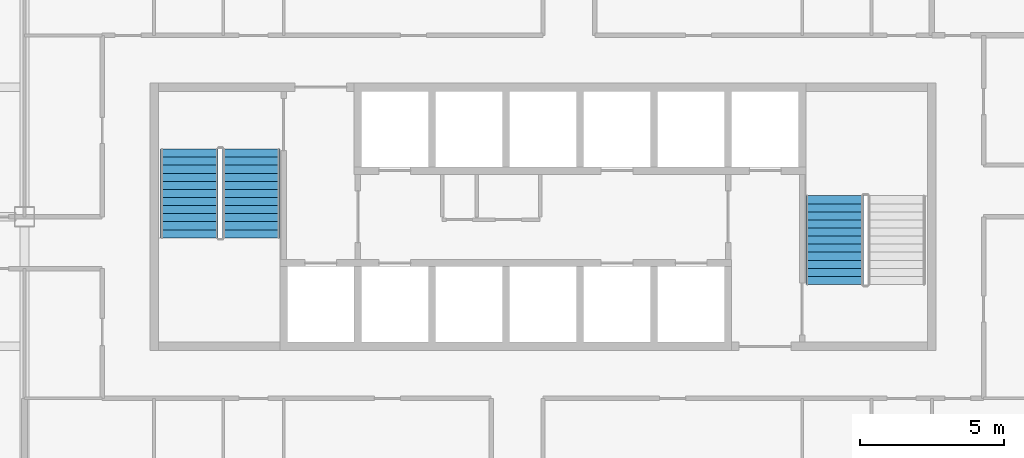
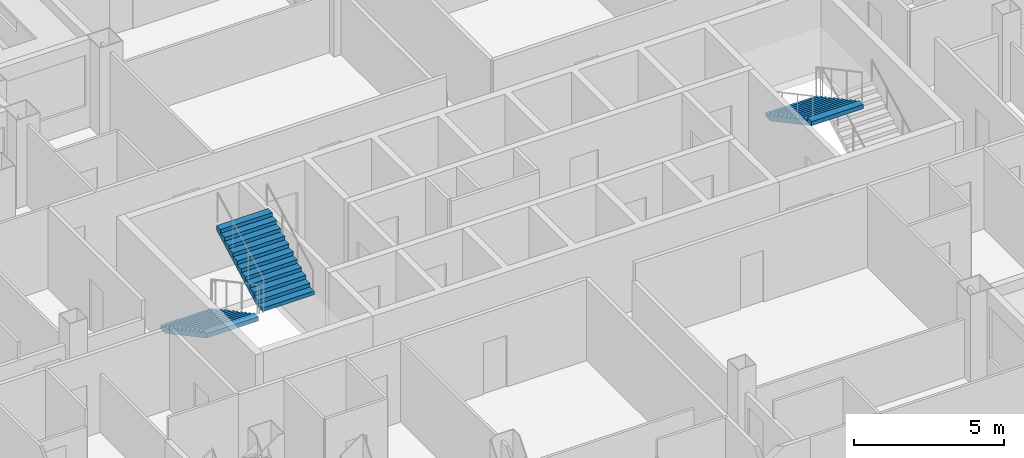
# One storey, part 11 of 15: 3 stair flights, 2 elements without a shape of their own.
"""IFC4 building model written with IfcOpenShell, lengths in metres."""

from ifc_helpers import new_model, si_unit, direction, frame, origin, place, context, subcontext, project, spatial, polygons, material, type_object, element, aggregate, save


model = new_model("IFC4")

# Units and contexts
model_context = context("Model", 3, precision=1e-05, world=origin(), true_north=direction((0.0, 1.0)))
body_context = subcontext(model_context, "Body", "Model", "MODEL_VIEW")
ifc_project = project(units=[si_unit("LENGTHUNIT", "METRE"), si_unit("AREAUNIT", "SQUARE_METRE"), si_unit("VOLUMEUNIT", "CUBIC_METRE"), si_unit("PLANEANGLEUNIT", "RADIAN"), si_unit("MASSUNIT", "GRAM", prefix="KILO")], contexts=[model_context])

# Site, building, storey
site_placement = place(None, origin())
site = spatial("IfcSite", under=ifc_project, at=site_placement, CompositionType="ELEMENT")
building_placement = place(site_placement, origin())
building = spatial("IfcBuilding", under=site, at=building_placement, Name="Caravel Reach Hotel and Residences", CompositionType="ELEMENT")
storey_placement = place(building_placement, frame((0.0, 0.0, 111.60009765625)))
storey = spatial("IfcBuildingStorey", under=building, at=storey_placement, Name="L27", CompositionType="ELEMENT", Elevation=111.60009765625)

# Stair, stair flights
ifc_material_1 = material(Name="Concrete C40", Category="concrete")
stair_type = type_object("IfcStairType", Name="Core stair", PredefinedType="HALF_TURN_STAIR", material=ifc_material_1)
stair_1_placement = place(storey_placement, origin())
stair_1 = element("IfcStair", 1, at=stair_1_placement, inside=storey, type_object=stair_type, Name="L27 Exit stair A", PredefinedType="HALF_TURN_STAIR")
ifc_material_2 = material(Name="Concrete C40", Category="concrete")
stair_flight_type = type_object("IfcStairFlightType", Name="Core stair flight", PredefinedType="STRAIGHT", material=ifc_material_2)
stair_flight_1_placement = place(storey_placement, frame((19.22509765625, 29.35009765625, 0.0), z_axis=(0.0, 0.0, 1.0), x_axis=(0.0, -1.0, 0.0)))
stair_flight_1 = element("IfcStairFlight", 2, at=stair_flight_1_placement, type_object=stair_flight_type, Name="ST-A flight 1", NumberOfRisers=12, NumberOfTreads=11, PredefinedType="STRAIGHT", RiserHeight=0.15, TreadLength=0.28, context=body_context, shape_type="Tessellation", body=[
    polygons([(0.3174408016601862, 1.0, 0.0), (0.3174408016601862, 0.6666666666666667, 0.0), (0.3174408016601862, 0.33333333333333337, 0.0), (0.3174408016601862, 0.0, 0.0), (0.3174408016601862, -0.33333333333333326, 0.0), (0.3174408016601862, -0.6666666666666667, 0.0), (0.3174408016601862, -1.0, 0.0), (3.081, 1.0, 1.479942427682043), (3.081, 0.6666666666666667, 1.479942427682043), (3.081, 0.33333333333333337, 1.479942427682043), (3.081, 0.0, 1.479942427682043), (3.081, -0.33333333333333326, 1.479942427682043), (3.081, -0.6666666666666667, 1.479942427682043), (3.081, -1.0, 1.479942427682043), (3.081, 1.0, 1.65), (3.081, 0.6666666666666667, 1.65), (3.081, 0.33333333333333337, 1.65), (3.081, 0.0, 1.65), (3.081, -0.33333333333333326, 1.65), (3.081, -0.6666666666666667, 1.65), (3.081, -1.0, 1.65), (2.8000000000000003, 1.0, 1.65), (2.8000000000000003, 0.6666666666666667, 1.65), (2.8000000000000003, 0.33333333333333337, 1.65), (2.8000000000000003, 0.0, 1.65), (2.8000000000000003, -0.33333333333333326, 1.65), (2.8000000000000003, -0.6666666666666667, 1.65), (2.8000000000000003, -1.0, 1.65), (2.8000000000000003, 1.0, 1.5), (2.8000000000000003, 0.6666666666666667, 1.5), (2.8000000000000003, 0.33333333333333337, 1.5), (2.8000000000000003, 0.0, 1.5), (2.8000000000000003, -0.33333333333333326, 1.5), (2.8000000000000003, -0.6666666666666667, 1.5), (2.8000000000000003, -1.0, 1.5), (2.5200000000000005, 1.0, 1.5), (2.5200000000000005, 0.6666666666666667, 1.5), (2.5200000000000005, 0.33333333333333337, 1.5), (2.5200000000000005, 0.0, 1.5), (2.5200000000000005, -0.33333333333333326, 1.5), (2.5200000000000005, -0.6666666666666667, 1.5), (2.5200000000000005, -1.0, 1.5), (2.5200000000000005, 1.0, 1.3499999999999999), (2.5200000000000005, 0.6666666666666667, 1.3499999999999999), (2.5200000000000005, 0.33333333333333337, 1.3499999999999999), (2.5200000000000005, 0.0, 1.3499999999999999), (2.5200000000000005, -0.33333333333333326, 1.3499999999999999), (2.5200000000000005, -0.6666666666666667, 1.3499999999999999), (2.5200000000000005, -1.0, 1.3499999999999999), (2.24, 1.0, 1.3499999999999999), (2.24, 0.6666666666666667, 1.3499999999999999), (2.24, 0.33333333333333337, 1.3499999999999999), (2.24, 0.0, 1.3499999999999999), (2.24, -0.33333333333333326, 1.3499999999999999), (2.24, -0.6666666666666667, 1.3499999999999999), (2.24, -1.0, 1.3499999999999999), (2.24, 1.0, 1.2), (2.24, 0.6666666666666667, 1.2), (2.24, 0.33333333333333337, 1.2), (2.24, 0.0, 1.2), (2.24, -0.33333333333333326, 1.2), (2.24, -0.6666666666666667, 1.2), (2.24, -1.0, 1.2), (1.9600000000000002, 1.0, 1.2), (1.9600000000000002, 0.6666666666666667, 1.2), (1.9600000000000002, 0.33333333333333337, 1.2), (1.9600000000000002, 0.0, 1.2), (1.9600000000000002, -0.33333333333333326, 1.2), (1.9600000000000002, -0.6666666666666667, 1.2), (1.9600000000000002, -1.0, 1.2), (1.9600000000000002, 1.0, 1.05), (1.9600000000000002, 0.6666666666666667, 1.05), (1.9600000000000002, 0.33333333333333337, 1.05), (1.9600000000000002, 0.0, 1.05), (1.9600000000000002, -0.33333333333333326, 1.05), (1.9600000000000002, -0.6666666666666667, 1.05), (1.9600000000000002, -1.0, 1.05), (1.6800000000000002, 1.0, 1.05), (1.6800000000000002, 0.6666666666666667, 1.05), (1.6800000000000002, 0.33333333333333337, 1.05), (1.6800000000000002, 0.0, 1.05), (1.6800000000000002, -0.33333333333333326, 1.05), (1.6800000000000002, -0.6666666666666667, 1.05), (1.6800000000000002, -1.0, 1.05), (1.6800000000000002, 1.0, 0.8999999999999999), (1.6800000000000002, 0.6666666666666667, 0.8999999999999999), (1.6800000000000002, 0.33333333333333337, 0.8999999999999999), (1.6800000000000002, 0.0, 0.8999999999999999), (1.6800000000000002, -0.33333333333333326, 0.8999999999999999), (1.6800000000000002, -0.6666666666666667, 0.8999999999999999), (1.6800000000000002, -1.0, 0.8999999999999999), (1.4000000000000001, 1.0, 0.8999999999999999), (1.4000000000000001, 0.6666666666666667, 0.8999999999999999), (1.4000000000000001, 0.33333333333333337, 0.8999999999999999), (1.4000000000000001, 0.0, 0.8999999999999999), (1.4000000000000001, -0.33333333333333326, 0.8999999999999999), (1.4000000000000001, -0.6666666666666667, 0.8999999999999999), (1.4000000000000001, -1.0, 0.8999999999999999), (1.4000000000000001, 1.0, 0.75), (1.4000000000000001, 0.6666666666666667, 0.75), (1.4000000000000001, 0.33333333333333337, 0.75), (1.4000000000000001, 0.0, 0.75), (1.4000000000000001, -0.33333333333333326, 0.75), (1.4000000000000001, -0.6666666666666667, 0.75), (1.4000000000000001, -1.0, 0.75), (1.12, 1.0, 0.75), (1.12, 0.6666666666666667, 0.75), (1.12, 0.33333333333333337, 0.75), (1.12, 0.0, 0.75), (1.12, -0.33333333333333326, 0.75), (1.12, -0.6666666666666667, 0.75), (1.12, -1.0, 0.75), (1.12, 1.0, 0.6), (1.12, 0.6666666666666667, 0.6), (1.12, 0.33333333333333337, 0.6), (1.12, 0.0, 0.6), (1.12, -0.33333333333333326, 0.6), (1.12, -0.6666666666666667, 0.6), (1.12, -1.0, 0.6), (0.8400000000000001, 1.0, 0.6), (0.8400000000000001, 0.6666666666666667, 0.6), (0.8400000000000001, 0.33333333333333337, 0.6), (0.8400000000000001, 0.0, 0.6), (0.8400000000000001, -0.33333333333333326, 0.6), (0.8400000000000001, -0.6666666666666667, 0.6), (0.8400000000000001, -1.0, 0.6), (0.8400000000000001, 1.0, 0.44999999999999996), (0.8400000000000001, 0.6666666666666667, 0.44999999999999996), (0.8400000000000001, 0.33333333333333337, 0.44999999999999996), (0.8400000000000001, 0.0, 0.44999999999999996), (0.8400000000000001, -0.33333333333333326, 0.44999999999999996), (0.8400000000000001, -0.6666666666666667, 0.44999999999999996), (0.8400000000000001, -1.0, 0.44999999999999996), (0.56, 1.0, 0.44999999999999996), (0.56, 0.6666666666666667, 0.44999999999999996), (0.56, 0.33333333333333337, 0.44999999999999996), (0.56, 0.0, 0.44999999999999996), (0.56, -0.33333333333333326, 0.44999999999999996), (0.56, -0.6666666666666667, 0.44999999999999996), (0.56, -1.0, 0.44999999999999996), (0.56, 1.0, 0.3), (0.56, 0.6666666666666667, 0.3), (0.56, 0.33333333333333337, 0.3), (0.56, 0.0, 0.3), (0.56, -0.33333333333333326, 0.3), (0.56, -0.6666666666666667, 0.3), (0.56, -1.0, 0.3), (0.28, 1.0, 0.3), (0.28, 0.6666666666666667, 0.3), (0.28, 0.33333333333333337, 0.3), (0.28, 0.0, 0.3), (0.28, -0.33333333333333326, 0.3), (0.28, -0.6666666666666667, 0.3), (0.28, -1.0, 0.3), (0.28, 1.0, 0.15), (0.28, 0.6666666666666667, 0.15), (0.28, 0.33333333333333337, 0.15), (0.28, 0.0, 0.15), (0.28, -0.33333333333333326, 0.15), (0.28, -0.6666666666666667, 0.15), (0.28, -1.0, 0.15), (-0.001, 1.0, 0.15), (-0.001, 0.6666666666666667, 0.15), (-0.001, 0.33333333333333337, 0.15), (-0.001, 0.0, 0.15), (-0.001, -0.33333333333333326, 0.15), (-0.001, -0.6666666666666667, 0.15), (-0.001, -1.0, 0.15), (-0.001, 1.0, 0.0), (-0.001, 0.6666666666666667, 0.0), (-0.001, 0.33333333333333337, 0.0), (-0.001, 0.0, 0.0), (-0.001, -0.33333333333333326, 0.0), (-0.001, -0.6666666666666667, 0.0), (-0.001, -1.0, 0.0)], [[[169, 162, 155, 148, 141, 134, 127, 120, 113, 106, 99, 92, 85, 78, 71, 64, 57, 50, 43, 36, 29, 22, 15, 8, 1]], [[7, 14, 21, 28, 35, 42, 49, 56, 63, 70, 77, 84, 91, 98, 105, 112, 119, 126, 133, 140, 147, 154, 161, 168, 175]], [[1, 8, 9, 2]], [[2, 9, 10, 3]], [[3, 10, 11, 4]], [[4, 11, 12, 5]], [[5, 12, 13, 6]], [[6, 13, 14, 7]], [[8, 15, 16, 9]], [[9, 16, 17, 10]], [[10, 17, 18, 11]], [[11, 18, 19, 12]], [[12, 19, 20, 13]], [[13, 20, 21, 14]], [[15, 22, 23, 16]], [[16, 23, 24, 17]], [[17, 24, 25, 18]], [[18, 25, 26, 19]], [[19, 26, 27, 20]], [[20, 27, 28, 21]], [[22, 29, 30, 23]], [[23, 30, 31, 24]], [[24, 31, 32, 25]], [[25, 32, 33, 26]], [[26, 33, 34, 27]], [[27, 34, 35, 28]], [[29, 36, 37, 30]], [[30, 37, 38, 31]], [[31, 38, 39, 32]], [[32, 39, 40, 33]], [[33, 40, 41, 34]], [[34, 41, 42, 35]], [[36, 43, 44, 37]], [[37, 44, 45, 38]], [[38, 45, 46, 39]], [[39, 46, 47, 40]], [[40, 47, 48, 41]], [[41, 48, 49, 42]], [[43, 50, 51, 44]], [[44, 51, 52, 45]], [[45, 52, 53, 46]], [[46, 53, 54, 47]], [[47, 54, 55, 48]], [[48, 55, 56, 49]], [[50, 57, 58, 51]], [[51, 58, 59, 52]], [[52, 59, 60, 53]], [[53, 60, 61, 54]], [[54, 61, 62, 55]], [[55, 62, 63, 56]], [[57, 64, 65, 58]], [[58, 65, 66, 59]], [[59, 66, 67, 60]], [[60, 67, 68, 61]], [[61, 68, 69, 62]], [[62, 69, 70, 63]], [[64, 71, 72, 65]], [[65, 72, 73, 66]], [[66, 73, 74, 67]], [[67, 74, 75, 68]], [[68, 75, 76, 69]], [[69, 76, 77, 70]], [[71, 78, 79, 72]], [[72, 79, 80, 73]], [[73, 80, 81, 74]], [[74, 81, 82, 75]], [[75, 82, 83, 76]], [[76, 83, 84, 77]], [[78, 85, 86, 79]], [[79, 86, 87, 80]], [[80, 87, 88, 81]], [[81, 88, 89, 82]], [[82, 89, 90, 83]], [[83, 90, 91, 84]], [[85, 92, 93, 86]], [[86, 93, 94, 87]], [[87, 94, 95, 88]], [[88, 95, 96, 89]], [[89, 96, 97, 90]], [[90, 97, 98, 91]], [[92, 99, 100, 93]], [[93, 100, 101, 94]], [[94, 101, 102, 95]], [[95, 102, 103, 96]], [[96, 103, 104, 97]], [[97, 104, 105, 98]], [[99, 106, 107, 100]], [[100, 107, 108, 101]], [[101, 108, 109, 102]], [[102, 109, 110, 103]], [[103, 110, 111, 104]], [[104, 111, 112, 105]], [[106, 113, 114, 107]], [[107, 114, 115, 108]], [[108, 115, 116, 109]], [[109, 116, 117, 110]], [[110, 117, 118, 111]], [[111, 118, 119, 112]], [[113, 120, 121, 114]], [[114, 121, 122, 115]], [[115, 122, 123, 116]], [[116, 123, 124, 117]], [[117, 124, 125, 118]], [[118, 125, 126, 119]], [[120, 127, 128, 121]], [[121, 128, 129, 122]], [[122, 129, 130, 123]], [[123, 130, 131, 124]], [[124, 131, 132, 125]], [[125, 132, 133, 126]], [[127, 134, 135, 128]], [[128, 135, 136, 129]], [[129, 136, 137, 130]], [[130, 137, 138, 131]], [[131, 138, 139, 132]], [[132, 139, 140, 133]], [[134, 141, 142, 135]], [[135, 142, 143, 136]], [[136, 143, 144, 137]], [[137, 144, 145, 138]], [[138, 145, 146, 139]], [[139, 146, 147, 140]], [[141, 148, 149, 142]], [[142, 149, 150, 143]], [[143, 150, 151, 144]], [[144, 151, 152, 145]], [[145, 152, 153, 146]], [[146, 153, 154, 147]], [[148, 155, 156, 149]], [[149, 156, 157, 150]], [[150, 157, 158, 151]], [[151, 158, 159, 152]], [[152, 159, 160, 153]], [[153, 160, 161, 154]], [[155, 162, 163, 156]], [[156, 163, 164, 157]], [[157, 164, 165, 158]], [[158, 165, 166, 159]], [[159, 166, 167, 160]], [[160, 167, 168, 161]], [[162, 169, 170, 163]], [[163, 170, 171, 164]], [[164, 171, 172, 165]], [[165, 172, 173, 166]], [[166, 173, 174, 167]], [[167, 174, 175, 168]], [[169, 1, 2, 170]], [[170, 2, 3, 171]], [[171, 3, 4, 172]], [[172, 4, 5, 173]], [[173, 5, 6, 174]], [[174, 6, 7, 175]]], closed=True),
])
stair_flight_2_placement = place(storey_placement, frame((21.375, 26.27001953125, 1.7998046875), z_axis=(0.0, 0.0, 1.0), x_axis=(0.0, 1.0, 0.0)))
stair_flight_2 = element("IfcStairFlight", 3, at=stair_flight_2_placement, type_object=stair_flight_type, Name="ST-A flight 2", NumberOfRisers=12, NumberOfTreads=11, PredefinedType="STRAIGHT", RiserHeight=0.15, TreadLength=0.28, context=body_context, shape_type="Tessellation", body=[
    polygons([(0.3174408016601862, 1.0, 0.0), (0.3174408016601862, 0.6666666666666667, 0.0), (0.3174408016601862, 0.33333333333333337, 0.0), (0.3174408016601862, 0.0, 0.0), (0.3174408016601862, -0.33333333333333326, 0.0), (0.3174408016601862, -0.6666666666666667, 0.0), (0.3174408016601862, -1.0, 0.0), (3.081, 1.0, 1.479942427682043), (3.081, 0.6666666666666667, 1.479942427682043), (3.081, 0.33333333333333337, 1.479942427682043), (3.081, 0.0, 1.479942427682043), (3.081, -0.33333333333333326, 1.479942427682043), (3.081, -0.6666666666666667, 1.479942427682043), (3.081, -1.0, 1.479942427682043), (3.081, 1.0, 1.65), (3.081, 0.6666666666666667, 1.65), (3.081, 0.33333333333333337, 1.65), (3.081, 0.0, 1.65), (3.081, -0.33333333333333326, 1.65), (3.081, -0.6666666666666667, 1.65), (3.081, -1.0, 1.65), (2.8000000000000003, 1.0, 1.65), (2.8000000000000003, 0.6666666666666667, 1.65), (2.8000000000000003, 0.33333333333333337, 1.65), (2.8000000000000003, 0.0, 1.65), (2.8000000000000003, -0.33333333333333326, 1.65), (2.8000000000000003, -0.6666666666666667, 1.65), (2.8000000000000003, -1.0, 1.65), (2.8000000000000003, 1.0, 1.5), (2.8000000000000003, 0.6666666666666667, 1.5), (2.8000000000000003, 0.33333333333333337, 1.5), (2.8000000000000003, 0.0, 1.5), (2.8000000000000003, -0.33333333333333326, 1.5), (2.8000000000000003, -0.6666666666666667, 1.5), (2.8000000000000003, -1.0, 1.5), (2.5200000000000005, 1.0, 1.5), (2.5200000000000005, 0.6666666666666667, 1.5), (2.5200000000000005, 0.33333333333333337, 1.5), (2.5200000000000005, 0.0, 1.5), (2.5200000000000005, -0.33333333333333326, 1.5), (2.5200000000000005, -0.6666666666666667, 1.5), (2.5200000000000005, -1.0, 1.5), (2.5200000000000005, 1.0, 1.3499999999999999), (2.5200000000000005, 0.6666666666666667, 1.3499999999999999), (2.5200000000000005, 0.33333333333333337, 1.3499999999999999), (2.5200000000000005, 0.0, 1.3499999999999999), (2.5200000000000005, -0.33333333333333326, 1.3499999999999999), (2.5200000000000005, -0.6666666666666667, 1.3499999999999999), (2.5200000000000005, -1.0, 1.3499999999999999), (2.24, 1.0, 1.3499999999999999), (2.24, 0.6666666666666667, 1.3499999999999999), (2.24, 0.33333333333333337, 1.3499999999999999), (2.24, 0.0, 1.3499999999999999), (2.24, -0.33333333333333326, 1.3499999999999999), (2.24, -0.6666666666666667, 1.3499999999999999), (2.24, -1.0, 1.3499999999999999), (2.24, 1.0, 1.2), (2.24, 0.6666666666666667, 1.2), (2.24, 0.33333333333333337, 1.2), (2.24, 0.0, 1.2), (2.24, -0.33333333333333326, 1.2), (2.24, -0.6666666666666667, 1.2), (2.24, -1.0, 1.2), (1.9600000000000002, 1.0, 1.2), (1.9600000000000002, 0.6666666666666667, 1.2), (1.9600000000000002, 0.33333333333333337, 1.2), (1.9600000000000002, 0.0, 1.2), (1.9600000000000002, -0.33333333333333326, 1.2), (1.9600000000000002, -0.6666666666666667, 1.2), (1.9600000000000002, -1.0, 1.2), (1.9600000000000002, 1.0, 1.05), (1.9600000000000002, 0.6666666666666667, 1.05), (1.9600000000000002, 0.33333333333333337, 1.05), (1.9600000000000002, 0.0, 1.05), (1.9600000000000002, -0.33333333333333326, 1.05), (1.9600000000000002, -0.6666666666666667, 1.05), (1.9600000000000002, -1.0, 1.05), (1.6800000000000002, 1.0, 1.05), (1.6800000000000002, 0.6666666666666667, 1.05), (1.6800000000000002, 0.33333333333333337, 1.05), (1.6800000000000002, 0.0, 1.05), (1.6800000000000002, -0.33333333333333326, 1.05), (1.6800000000000002, -0.6666666666666667, 1.05), (1.6800000000000002, -1.0, 1.05), (1.6800000000000002, 1.0, 0.8999999999999999), (1.6800000000000002, 0.6666666666666667, 0.8999999999999999), (1.6800000000000002, 0.33333333333333337, 0.8999999999999999), (1.6800000000000002, 0.0, 0.8999999999999999), (1.6800000000000002, -0.33333333333333326, 0.8999999999999999), (1.6800000000000002, -0.6666666666666667, 0.8999999999999999), (1.6800000000000002, -1.0, 0.8999999999999999), (1.4000000000000001, 1.0, 0.8999999999999999), (1.4000000000000001, 0.6666666666666667, 0.8999999999999999), (1.4000000000000001, 0.33333333333333337, 0.8999999999999999), (1.4000000000000001, 0.0, 0.8999999999999999), (1.4000000000000001, -0.33333333333333326, 0.8999999999999999), (1.4000000000000001, -0.6666666666666667, 0.8999999999999999), (1.4000000000000001, -1.0, 0.8999999999999999), (1.4000000000000001, 1.0, 0.75), (1.4000000000000001, 0.6666666666666667, 0.75), (1.4000000000000001, 0.33333333333333337, 0.75), (1.4000000000000001, 0.0, 0.75), (1.4000000000000001, -0.33333333333333326, 0.75), (1.4000000000000001, -0.6666666666666667, 0.75), (1.4000000000000001, -1.0, 0.75), (1.12, 1.0, 0.75), (1.12, 0.6666666666666667, 0.75), (1.12, 0.33333333333333337, 0.75), (1.12, 0.0, 0.75), (1.12, -0.33333333333333326, 0.75), (1.12, -0.6666666666666667, 0.75), (1.12, -1.0, 0.75), (1.12, 1.0, 0.6), (1.12, 0.6666666666666667, 0.6), (1.12, 0.33333333333333337, 0.6), (1.12, 0.0, 0.6), (1.12, -0.33333333333333326, 0.6), (1.12, -0.6666666666666667, 0.6), (1.12, -1.0, 0.6), (0.8400000000000001, 1.0, 0.6), (0.8400000000000001, 0.6666666666666667, 0.6), (0.8400000000000001, 0.33333333333333337, 0.6), (0.8400000000000001, 0.0, 0.6), (0.8400000000000001, -0.33333333333333326, 0.6), (0.8400000000000001, -0.6666666666666667, 0.6), (0.8400000000000001, -1.0, 0.6), (0.8400000000000001, 1.0, 0.44999999999999996), (0.8400000000000001, 0.6666666666666667, 0.44999999999999996), (0.8400000000000001, 0.33333333333333337, 0.44999999999999996), (0.8400000000000001, 0.0, 0.44999999999999996), (0.8400000000000001, -0.33333333333333326, 0.44999999999999996), (0.8400000000000001, -0.6666666666666667, 0.44999999999999996), (0.8400000000000001, -1.0, 0.44999999999999996), (0.56, 1.0, 0.44999999999999996), (0.56, 0.6666666666666667, 0.44999999999999996), (0.56, 0.33333333333333337, 0.44999999999999996), (0.56, 0.0, 0.44999999999999996), (0.56, -0.33333333333333326, 0.44999999999999996), (0.56, -0.6666666666666667, 0.44999999999999996), (0.56, -1.0, 0.44999999999999996), (0.56, 1.0, 0.3), (0.56, 0.6666666666666667, 0.3), (0.56, 0.33333333333333337, 0.3), (0.56, 0.0, 0.3), (0.56, -0.33333333333333326, 0.3), (0.56, -0.6666666666666667, 0.3), (0.56, -1.0, 0.3), (0.28, 1.0, 0.3), (0.28, 0.6666666666666667, 0.3), (0.28, 0.33333333333333337, 0.3), (0.28, 0.0, 0.3), (0.28, -0.33333333333333326, 0.3), (0.28, -0.6666666666666667, 0.3), (0.28, -1.0, 0.3), (0.28, 1.0, 0.15), (0.28, 0.6666666666666667, 0.15), (0.28, 0.33333333333333337, 0.15), (0.28, 0.0, 0.15), (0.28, -0.33333333333333326, 0.15), (0.28, -0.6666666666666667, 0.15), (0.28, -1.0, 0.15), (-0.001, 1.0, 0.15), (-0.001, 0.6666666666666667, 0.15), (-0.001, 0.33333333333333337, 0.15), (-0.001, 0.0, 0.15), (-0.001, -0.33333333333333326, 0.15), (-0.001, -0.6666666666666667, 0.15), (-0.001, -1.0, 0.15), (-0.001, 1.0, 0.0), (-0.001, 0.6666666666666667, 0.0), (-0.001, 0.33333333333333337, 0.0), (-0.001, 0.0, 0.0), (-0.001, -0.33333333333333326, 0.0), (-0.001, -0.6666666666666667, 0.0), (-0.001, -1.0, 0.0)], [[[169, 162, 155, 148, 141, 134, 127, 120, 113, 106, 99, 92, 85, 78, 71, 64, 57, 50, 43, 36, 29, 22, 15, 8, 1]], [[7, 14, 21, 28, 35, 42, 49, 56, 63, 70, 77, 84, 91, 98, 105, 112, 119, 126, 133, 140, 147, 154, 161, 168, 175]], [[1, 8, 9, 2]], [[2, 9, 10, 3]], [[3, 10, 11, 4]], [[4, 11, 12, 5]], [[5, 12, 13, 6]], [[6, 13, 14, 7]], [[8, 15, 16, 9]], [[9, 16, 17, 10]], [[10, 17, 18, 11]], [[11, 18, 19, 12]], [[12, 19, 20, 13]], [[13, 20, 21, 14]], [[15, 22, 23, 16]], [[16, 23, 24, 17]], [[17, 24, 25, 18]], [[18, 25, 26, 19]], [[19, 26, 27, 20]], [[20, 27, 28, 21]], [[22, 29, 30, 23]], [[23, 30, 31, 24]], [[24, 31, 32, 25]], [[25, 32, 33, 26]], [[26, 33, 34, 27]], [[27, 34, 35, 28]], [[29, 36, 37, 30]], [[30, 37, 38, 31]], [[31, 38, 39, 32]], [[32, 39, 40, 33]], [[33, 40, 41, 34]], [[34, 41, 42, 35]], [[36, 43, 44, 37]], [[37, 44, 45, 38]], [[38, 45, 46, 39]], [[39, 46, 47, 40]], [[40, 47, 48, 41]], [[41, 48, 49, 42]], [[43, 50, 51, 44]], [[44, 51, 52, 45]], [[45, 52, 53, 46]], [[46, 53, 54, 47]], [[47, 54, 55, 48]], [[48, 55, 56, 49]], [[50, 57, 58, 51]], [[51, 58, 59, 52]], [[52, 59, 60, 53]], [[53, 60, 61, 54]], [[54, 61, 62, 55]], [[55, 62, 63, 56]], [[57, 64, 65, 58]], [[58, 65, 66, 59]], [[59, 66, 67, 60]], [[60, 67, 68, 61]], [[61, 68, 69, 62]], [[62, 69, 70, 63]], [[64, 71, 72, 65]], [[65, 72, 73, 66]], [[66, 73, 74, 67]], [[67, 74, 75, 68]], [[68, 75, 76, 69]], [[69, 76, 77, 70]], [[71, 78, 79, 72]], [[72, 79, 80, 73]], [[73, 80, 81, 74]], [[74, 81, 82, 75]], [[75, 82, 83, 76]], [[76, 83, 84, 77]], [[78, 85, 86, 79]], [[79, 86, 87, 80]], [[80, 87, 88, 81]], [[81, 88, 89, 82]], [[82, 89, 90, 83]], [[83, 90, 91, 84]], [[85, 92, 93, 86]], [[86, 93, 94, 87]], [[87, 94, 95, 88]], [[88, 95, 96, 89]], [[89, 96, 97, 90]], [[90, 97, 98, 91]], [[92, 99, 100, 93]], [[93, 100, 101, 94]], [[94, 101, 102, 95]], [[95, 102, 103, 96]], [[96, 103, 104, 97]], [[97, 104, 105, 98]], [[99, 106, 107, 100]], [[100, 107, 108, 101]], [[101, 108, 109, 102]], [[102, 109, 110, 103]], [[103, 110, 111, 104]], [[104, 111, 112, 105]], [[106, 113, 114, 107]], [[107, 114, 115, 108]], [[108, 115, 116, 109]], [[109, 116, 117, 110]], [[110, 117, 118, 111]], [[111, 118, 119, 112]], [[113, 120, 121, 114]], [[114, 121, 122, 115]], [[115, 122, 123, 116]], [[116, 123, 124, 117]], [[117, 124, 125, 118]], [[118, 125, 126, 119]], [[120, 127, 128, 121]], [[121, 128, 129, 122]], [[122, 129, 130, 123]], [[123, 130, 131, 124]], [[124, 131, 132, 125]], [[125, 132, 133, 126]], [[127, 134, 135, 128]], [[128, 135, 136, 129]], [[129, 136, 137, 130]], [[130, 137, 138, 131]], [[131, 138, 139, 132]], [[132, 139, 140, 133]], [[134, 141, 142, 135]], [[135, 142, 143, 136]], [[136, 143, 144, 137]], [[137, 144, 145, 138]], [[138, 145, 146, 139]], [[139, 146, 147, 140]], [[141, 148, 149, 142]], [[142, 149, 150, 143]], [[143, 150, 151, 144]], [[144, 151, 152, 145]], [[145, 152, 153, 146]], [[146, 153, 154, 147]], [[148, 155, 156, 149]], [[149, 156, 157, 150]], [[150, 157, 158, 151]], [[151, 158, 159, 152]], [[152, 159, 160, 153]], [[153, 160, 161, 154]], [[155, 162, 163, 156]], [[156, 163, 164, 157]], [[157, 164, 165, 158]], [[158, 165, 166, 159]], [[159, 166, 167, 160]], [[160, 167, 168, 161]], [[162, 169, 170, 163]], [[163, 170, 171, 164]], [[164, 171, 172, 165]], [[165, 172, 173, 166]], [[166, 173, 174, 167]], [[167, 174, 175, 168]], [[169, 1, 2, 170]], [[170, 2, 3, 171]], [[171, 3, 4, 172]], [[172, 4, 5, 173]], [[173, 5, 6, 174]], [[174, 6, 7, 175]]], closed=True),
])
aggregate(stair_1, [stair_flight_1, stair_flight_2])

# Stair, stair flight
stair_2_placement = place(storey_placement, origin())
stair_2 = element("IfcStair", 4, at=stair_2_placement, inside=storey, type_object=stair_type, Name="L27 Exit stair B", PredefinedType="HALF_TURN_STAIR")
stair_flight_3_placement = place(storey_placement, frame((41.625, 27.72998046875, 1.7998046875), z_axis=(0.0, 0.0, 1.0), x_axis=(0.0, -1.0, 0.0)))
stair_flight_3 = element("IfcStairFlight", 5, at=stair_flight_3_placement, type_object=stair_flight_type, Name="ST-B flight 2", NumberOfRisers=12, NumberOfTreads=11, PredefinedType="STRAIGHT", RiserHeight=0.15, TreadLength=0.28, context=body_context, shape_type="Tessellation", body=[
    polygons([(0.3174408016601862, 1.0, 0.0), (0.3174408016601862, 0.6666666666666667, 0.0), (0.3174408016601862, 0.33333333333333337, 0.0), (0.3174408016601862, 0.0, 0.0), (0.3174408016601862, -0.33333333333333326, 0.0), (0.3174408016601862, -0.6666666666666667, 0.0), (0.3174408016601862, -1.0, 0.0), (3.081, 1.0, 1.479942427682043), (3.081, 0.6666666666666667, 1.479942427682043), (3.081, 0.33333333333333337, 1.479942427682043), (3.081, 0.0, 1.479942427682043), (3.081, -0.33333333333333326, 1.479942427682043), (3.081, -0.6666666666666667, 1.479942427682043), (3.081, -1.0, 1.479942427682043), (3.081, 1.0, 1.65), (3.081, 0.6666666666666667, 1.65), (3.081, 0.33333333333333337, 1.65), (3.081, 0.0, 1.65), (3.081, -0.33333333333333326, 1.65), (3.081, -0.6666666666666667, 1.65), (3.081, -1.0, 1.65), (2.8000000000000003, 1.0, 1.65), (2.8000000000000003, 0.6666666666666667, 1.65), (2.8000000000000003, 0.33333333333333337, 1.65), (2.8000000000000003, 0.0, 1.65), (2.8000000000000003, -0.33333333333333326, 1.65), (2.8000000000000003, -0.6666666666666667, 1.65), (2.8000000000000003, -1.0, 1.65), (2.8000000000000003, 1.0, 1.5), (2.8000000000000003, 0.6666666666666667, 1.5), (2.8000000000000003, 0.33333333333333337, 1.5), (2.8000000000000003, 0.0, 1.5), (2.8000000000000003, -0.33333333333333326, 1.5), (2.8000000000000003, -0.6666666666666667, 1.5), (2.8000000000000003, -1.0, 1.5), (2.5200000000000005, 1.0, 1.5), (2.5200000000000005, 0.6666666666666667, 1.5), (2.5200000000000005, 0.33333333333333337, 1.5), (2.5200000000000005, 0.0, 1.5), (2.5200000000000005, -0.33333333333333326, 1.5), (2.5200000000000005, -0.6666666666666667, 1.5), (2.5200000000000005, -1.0, 1.5), (2.5200000000000005, 1.0, 1.3499999999999999), (2.5200000000000005, 0.6666666666666667, 1.3499999999999999), (2.5200000000000005, 0.33333333333333337, 1.3499999999999999), (2.5200000000000005, 0.0, 1.3499999999999999), (2.5200000000000005, -0.33333333333333326, 1.3499999999999999), (2.5200000000000005, -0.6666666666666667, 1.3499999999999999), (2.5200000000000005, -1.0, 1.3499999999999999), (2.24, 1.0, 1.3499999999999999), (2.24, 0.6666666666666667, 1.3499999999999999), (2.24, 0.33333333333333337, 1.3499999999999999), (2.24, 0.0, 1.3499999999999999), (2.24, -0.33333333333333326, 1.3499999999999999), (2.24, -0.6666666666666667, 1.3499999999999999), (2.24, -1.0, 1.3499999999999999), (2.24, 1.0, 1.2), (2.24, 0.6666666666666667, 1.2), (2.24, 0.33333333333333337, 1.2), (2.24, 0.0, 1.2), (2.24, -0.33333333333333326, 1.2), (2.24, -0.6666666666666667, 1.2), (2.24, -1.0, 1.2), (1.9600000000000002, 1.0, 1.2), (1.9600000000000002, 0.6666666666666667, 1.2), (1.9600000000000002, 0.33333333333333337, 1.2), (1.9600000000000002, 0.0, 1.2), (1.9600000000000002, -0.33333333333333326, 1.2), (1.9600000000000002, -0.6666666666666667, 1.2), (1.9600000000000002, -1.0, 1.2), (1.9600000000000002, 1.0, 1.05), (1.9600000000000002, 0.6666666666666667, 1.05), (1.9600000000000002, 0.33333333333333337, 1.05), (1.9600000000000002, 0.0, 1.05), (1.9600000000000002, -0.33333333333333326, 1.05), (1.9600000000000002, -0.6666666666666667, 1.05), (1.9600000000000002, -1.0, 1.05), (1.6800000000000002, 1.0, 1.05), (1.6800000000000002, 0.6666666666666667, 1.05), (1.6800000000000002, 0.33333333333333337, 1.05), (1.6800000000000002, 0.0, 1.05), (1.6800000000000002, -0.33333333333333326, 1.05), (1.6800000000000002, -0.6666666666666667, 1.05), (1.6800000000000002, -1.0, 1.05), (1.6800000000000002, 1.0, 0.8999999999999999), (1.6800000000000002, 0.6666666666666667, 0.8999999999999999), (1.6800000000000002, 0.33333333333333337, 0.8999999999999999), (1.6800000000000002, 0.0, 0.8999999999999999), (1.6800000000000002, -0.33333333333333326, 0.8999999999999999), (1.6800000000000002, -0.6666666666666667, 0.8999999999999999), (1.6800000000000002, -1.0, 0.8999999999999999), (1.4000000000000001, 1.0, 0.8999999999999999), (1.4000000000000001, 0.6666666666666667, 0.8999999999999999), (1.4000000000000001, 0.33333333333333337, 0.8999999999999999), (1.4000000000000001, 0.0, 0.8999999999999999), (1.4000000000000001, -0.33333333333333326, 0.8999999999999999), (1.4000000000000001, -0.6666666666666667, 0.8999999999999999), (1.4000000000000001, -1.0, 0.8999999999999999), (1.4000000000000001, 1.0, 0.75), (1.4000000000000001, 0.6666666666666667, 0.75), (1.4000000000000001, 0.33333333333333337, 0.75), (1.4000000000000001, 0.0, 0.75), (1.4000000000000001, -0.33333333333333326, 0.75), (1.4000000000000001, -0.6666666666666667, 0.75), (1.4000000000000001, -1.0, 0.75), (1.12, 1.0, 0.75), (1.12, 0.6666666666666667, 0.75), (1.12, 0.33333333333333337, 0.75), (1.12, 0.0, 0.75), (1.12, -0.33333333333333326, 0.75), (1.12, -0.6666666666666667, 0.75), (1.12, -1.0, 0.75), (1.12, 1.0, 0.6), (1.12, 0.6666666666666667, 0.6), (1.12, 0.33333333333333337, 0.6), (1.12, 0.0, 0.6), (1.12, -0.33333333333333326, 0.6), (1.12, -0.6666666666666667, 0.6), (1.12, -1.0, 0.6), (0.8400000000000001, 1.0, 0.6), (0.8400000000000001, 0.6666666666666667, 0.6), (0.8400000000000001, 0.33333333333333337, 0.6), (0.8400000000000001, 0.0, 0.6), (0.8400000000000001, -0.33333333333333326, 0.6), (0.8400000000000001, -0.6666666666666667, 0.6), (0.8400000000000001, -1.0, 0.6), (0.8400000000000001, 1.0, 0.44999999999999996), (0.8400000000000001, 0.6666666666666667, 0.44999999999999996), (0.8400000000000001, 0.33333333333333337, 0.44999999999999996), (0.8400000000000001, 0.0, 0.44999999999999996), (0.8400000000000001, -0.33333333333333326, 0.44999999999999996), (0.8400000000000001, -0.6666666666666667, 0.44999999999999996), (0.8400000000000001, -1.0, 0.44999999999999996), (0.56, 1.0, 0.44999999999999996), (0.56, 0.6666666666666667, 0.44999999999999996), (0.56, 0.33333333333333337, 0.44999999999999996), (0.56, 0.0, 0.44999999999999996), (0.56, -0.33333333333333326, 0.44999999999999996), (0.56, -0.6666666666666667, 0.44999999999999996), (0.56, -1.0, 0.44999999999999996), (0.56, 1.0, 0.3), (0.56, 0.6666666666666667, 0.3), (0.56, 0.33333333333333337, 0.3), (0.56, 0.0, 0.3), (0.56, -0.33333333333333326, 0.3), (0.56, -0.6666666666666667, 0.3), (0.56, -1.0, 0.3), (0.28, 1.0, 0.3), (0.28, 0.6666666666666667, 0.3), (0.28, 0.33333333333333337, 0.3), (0.28, 0.0, 0.3), (0.28, -0.33333333333333326, 0.3), (0.28, -0.6666666666666667, 0.3), (0.28, -1.0, 0.3), (0.28, 1.0, 0.15), (0.28, 0.6666666666666667, 0.15), (0.28, 0.33333333333333337, 0.15), (0.28, 0.0, 0.15), (0.28, -0.33333333333333326, 0.15), (0.28, -0.6666666666666667, 0.15), (0.28, -1.0, 0.15), (-0.001, 1.0, 0.15), (-0.001, 0.6666666666666667, 0.15), (-0.001, 0.33333333333333337, 0.15), (-0.001, 0.0, 0.15), (-0.001, -0.33333333333333326, 0.15), (-0.001, -0.6666666666666667, 0.15), (-0.001, -1.0, 0.15), (-0.001, 1.0, 0.0), (-0.001, 0.6666666666666667, 0.0), (-0.001, 0.33333333333333337, 0.0), (-0.001, 0.0, 0.0), (-0.001, -0.33333333333333326, 0.0), (-0.001, -0.6666666666666667, 0.0), (-0.001, -1.0, 0.0)], [[[169, 162, 155, 148, 141, 134, 127, 120, 113, 106, 99, 92, 85, 78, 71, 64, 57, 50, 43, 36, 29, 22, 15, 8, 1]], [[7, 14, 21, 28, 35, 42, 49, 56, 63, 70, 77, 84, 91, 98, 105, 112, 119, 126, 133, 140, 147, 154, 161, 168, 175]], [[1, 8, 9, 2]], [[2, 9, 10, 3]], [[3, 10, 11, 4]], [[4, 11, 12, 5]], [[5, 12, 13, 6]], [[6, 13, 14, 7]], [[8, 15, 16, 9]], [[9, 16, 17, 10]], [[10, 17, 18, 11]], [[11, 18, 19, 12]], [[12, 19, 20, 13]], [[13, 20, 21, 14]], [[15, 22, 23, 16]], [[16, 23, 24, 17]], [[17, 24, 25, 18]], [[18, 25, 26, 19]], [[19, 26, 27, 20]], [[20, 27, 28, 21]], [[22, 29, 30, 23]], [[23, 30, 31, 24]], [[24, 31, 32, 25]], [[25, 32, 33, 26]], [[26, 33, 34, 27]], [[27, 34, 35, 28]], [[29, 36, 37, 30]], [[30, 37, 38, 31]], [[31, 38, 39, 32]], [[32, 39, 40, 33]], [[33, 40, 41, 34]], [[34, 41, 42, 35]], [[36, 43, 44, 37]], [[37, 44, 45, 38]], [[38, 45, 46, 39]], [[39, 46, 47, 40]], [[40, 47, 48, 41]], [[41, 48, 49, 42]], [[43, 50, 51, 44]], [[44, 51, 52, 45]], [[45, 52, 53, 46]], [[46, 53, 54, 47]], [[47, 54, 55, 48]], [[48, 55, 56, 49]], [[50, 57, 58, 51]], [[51, 58, 59, 52]], [[52, 59, 60, 53]], [[53, 60, 61, 54]], [[54, 61, 62, 55]], [[55, 62, 63, 56]], [[57, 64, 65, 58]], [[58, 65, 66, 59]], [[59, 66, 67, 60]], [[60, 67, 68, 61]], [[61, 68, 69, 62]], [[62, 69, 70, 63]], [[64, 71, 72, 65]], [[65, 72, 73, 66]], [[66, 73, 74, 67]], [[67, 74, 75, 68]], [[68, 75, 76, 69]], [[69, 76, 77, 70]], [[71, 78, 79, 72]], [[72, 79, 80, 73]], [[73, 80, 81, 74]], [[74, 81, 82, 75]], [[75, 82, 83, 76]], [[76, 83, 84, 77]], [[78, 85, 86, 79]], [[79, 86, 87, 80]], [[80, 87, 88, 81]], [[81, 88, 89, 82]], [[82, 89, 90, 83]], [[83, 90, 91, 84]], [[85, 92, 93, 86]], [[86, 93, 94, 87]], [[87, 94, 95, 88]], [[88, 95, 96, 89]], [[89, 96, 97, 90]], [[90, 97, 98, 91]], [[92, 99, 100, 93]], [[93, 100, 101, 94]], [[94, 101, 102, 95]], [[95, 102, 103, 96]], [[96, 103, 104, 97]], [[97, 104, 105, 98]], [[99, 106, 107, 100]], [[100, 107, 108, 101]], [[101, 108, 109, 102]], [[102, 109, 110, 103]], [[103, 110, 111, 104]], [[104, 111, 112, 105]], [[106, 113, 114, 107]], [[107, 114, 115, 108]], [[108, 115, 116, 109]], [[109, 116, 117, 110]], [[110, 117, 118, 111]], [[111, 118, 119, 112]], [[113, 120, 121, 114]], [[114, 121, 122, 115]], [[115, 122, 123, 116]], [[116, 123, 124, 117]], [[117, 124, 125, 118]], [[118, 125, 126, 119]], [[120, 127, 128, 121]], [[121, 128, 129, 122]], [[122, 129, 130, 123]], [[123, 130, 131, 124]], [[124, 131, 132, 125]], [[125, 132, 133, 126]], [[127, 134, 135, 128]], [[128, 135, 136, 129]], [[129, 136, 137, 130]], [[130, 137, 138, 131]], [[131, 138, 139, 132]], [[132, 139, 140, 133]], [[134, 141, 142, 135]], [[135, 142, 143, 136]], [[136, 143, 144, 137]], [[137, 144, 145, 138]], [[138, 145, 146, 139]], [[139, 146, 147, 140]], [[141, 148, 149, 142]], [[142, 149, 150, 143]], [[143, 150, 151, 144]], [[144, 151, 152, 145]], [[145, 152, 153, 146]], [[146, 153, 154, 147]], [[148, 155, 156, 149]], [[149, 156, 157, 150]], [[150, 157, 158, 151]], [[151, 158, 159, 152]], [[152, 159, 160, 153]], [[153, 160, 161, 154]], [[155, 162, 163, 156]], [[156, 163, 164, 157]], [[157, 164, 165, 158]], [[158, 165, 166, 159]], [[159, 166, 167, 160]], [[160, 167, 168, 161]], [[162, 169, 170, 163]], [[163, 170, 171, 164]], [[164, 171, 172, 165]], [[165, 172, 173, 166]], [[166, 173, 174, 167]], [[167, 174, 175, 168]], [[169, 1, 2, 170]], [[170, 2, 3, 171]], [[171, 3, 4, 172]], [[172, 4, 5, 173]], [[173, 5, 6, 174]], [[174, 6, 7, 175]]], closed=True),
])
aggregate(stair_2, [stair_flight_3])

save(model, "model.ifc")
